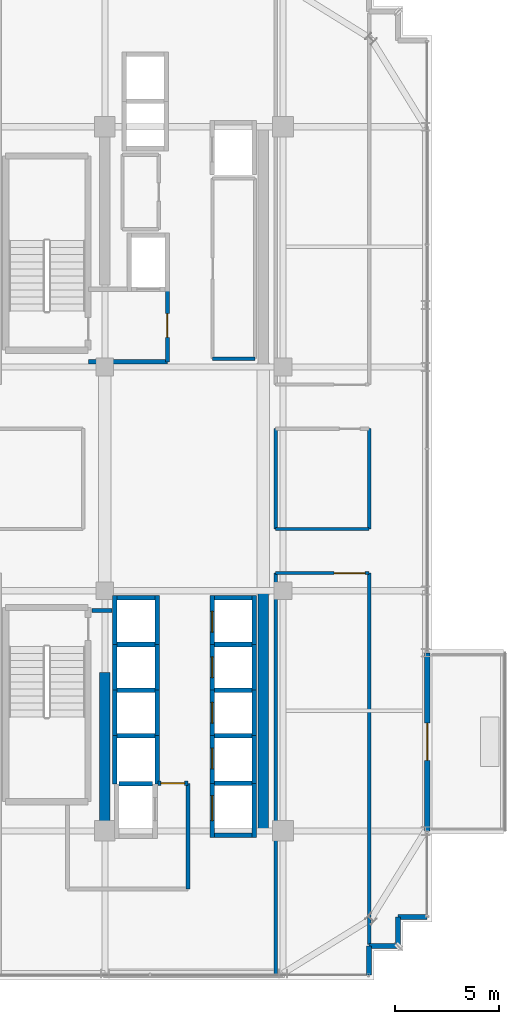
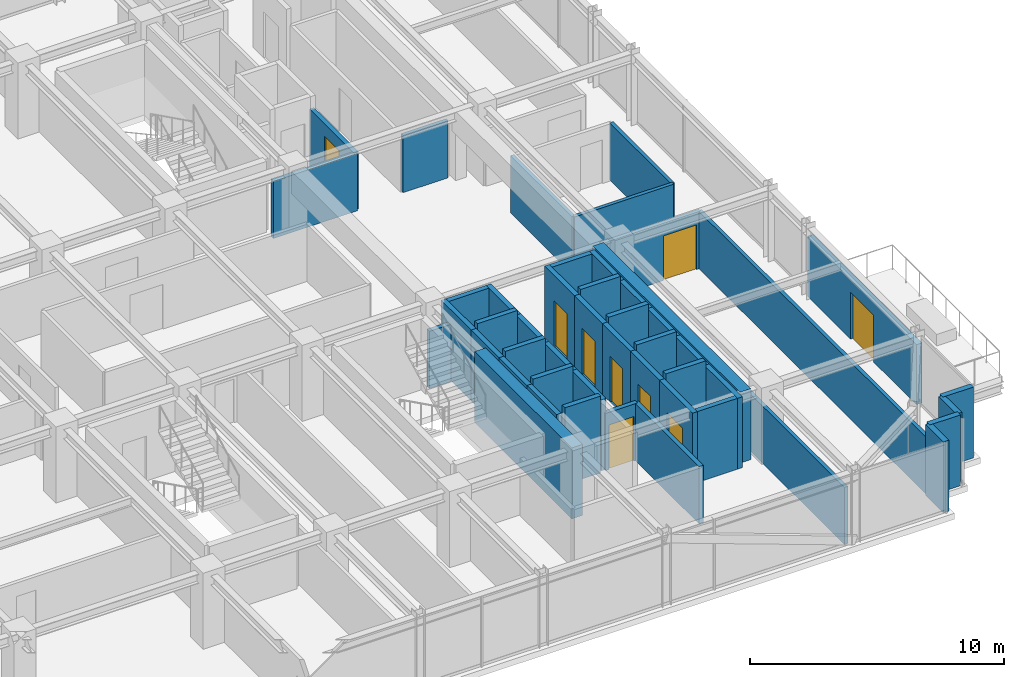
# One storey, part 37 of 42: 48 walls, 9 doors, 9 openings.
"""IFC4 building model written with IfcOpenShell, lengths in metres."""

from ifc_helpers import new_model, si_unit, direction, frame, frame_2d, origin, place, context, subcontext, project, spatial, rectangle, extrude, source, transform, mapped, material, layer, layer_set, type_object, element, fill, save


model = new_model("IFC4")

# Units and contexts
model_context = context("Model", 3, precision=1e-05, world=origin(), true_north=direction((0.0, 1.0)))
body_context = subcontext(model_context, "Body", "Model", "MODEL_VIEW")
ifc_project = project(units=[si_unit("LENGTHUNIT", "METRE"), si_unit("AREAUNIT", "SQUARE_METRE"), si_unit("VOLUMEUNIT", "CUBIC_METRE"), si_unit("PLANEANGLEUNIT", "RADIAN"), si_unit("MASSUNIT", "GRAM", prefix="KILO")], contexts=[model_context])

# Site, building, storey
site_placement = place(None, origin())
site = spatial("IfcSite", under=ifc_project, at=site_placement, CompositionType="ELEMENT")
building_placement = place(site_placement, origin())
building = spatial("IfcBuilding", under=site, at=building_placement, Name="Nahalor Promenade Grand Hotel", CompositionType="ELEMENT")
storey_placement = place(building_placement, frame((0.0, 0.0, 249.300048828125)))
storey = spatial("IfcBuildingStorey", under=building, at=storey_placement, Name="L64", CompositionType="ELEMENT", Elevation=249.300048828125)

# Walls
ifc_material_1 = material(Name="Concrete B-60 (C50/60)", Category="concrete")
ifc_layer_1 = layer(ifc_material_1, 0.5)
ifc_layer_set_1 = layer_set([ifc_layer_1], Name="Concrete B-60 (C50/60)")
wall_type_1 = type_object("IfcWallType", Name="Wall-CoreShear-500", PredefinedType="SHEAR", material=ifc_layer_set_1)
shared_shape_1 = source(origin(), body_context, "Body", "SweptSolid", [
    extrude(rectangle(XDim=7.64990234375, YDim=0.5, at=frame_2d((3.824951171875, 0.0))), origin(), (0.0, 0.0, 1.0), 3.409912109375),
])
wall_1_placement = place(storey_placement, frame((8.39990234375, -17.0, 0.0), z_axis=(0.0, 0.0, 1.0), x_axis=(0.0, 1.0, 0.0)))
element("IfcWall", 1, at=wall_1_placement, inside=storey, type_object=wall_type_1, Name="CWALL-L64-SW", PredefinedType="SHEAR", context=body_context, shape_type="MappedRepresentation", body=[
    mapped(shared_shape_1, transform((0.0, 0.0, 0.0), scale=1.0)),
])
shared_shape_2 = source(origin(), body_context, "Body", "SweptSolid", [
    extrude(rectangle(XDim=11.60009765625, YDim=0.5, at=frame_2d((5.800048828125, 0.0))), origin(), (0.0, 0.0, 1.0), 3.409912109375),
])
wall_2_placement = place(storey_placement, frame((16.050048828125, -17.0, 0.0), z_axis=(0.0, 0.0, 1.0), x_axis=(0.0, 1.0, 0.0)))
element("IfcWall", 2, at=wall_2_placement, inside=storey, type_object=wall_type_1, Name="CWALL-L64-SE", PredefinedType="SHEAR", context=body_context, shape_type="MappedRepresentation", body=[
    mapped(shared_shape_2, transform((0.0, 0.0, 0.0), scale=1.0)),
])

# Wall, opening, door
ifc_material_2 = material(Name="Concrete B-50 (C40/50)", Category="concrete")
ifc_layer_2 = layer(ifc_material_2, 0.219970703125)
ifc_layer_set_2 = layer_set([ifc_layer_2], Name="Concrete B-50 (C40/50)")
wall_type_2 = type_object("IfcWallType", Name="Wall-LiftShaft-220", PredefinedType="SHEAR", material=ifc_layer_set_2)
shared_shape_3 = source(origin(), body_context, "Body", "SweptSolid", [
    extrude(rectangle(XDim=2.360107421875, YDim=0.219970703125, at=frame_2d((1.18017578125, 0.0))), origin(), (0.0, 0.0, 1.0), 3.409912109375),
])
wall_3_placement = place(storey_placement, frame((13.580078125, -8.0, 0.0), z_axis=(0.0, 0.0, 1.0), x_axis=(0.0, 1.0, 0.0)))
wall_3 = element("IfcWall", 3, at=wall_3_placement, inside=storey, type_object=wall_type_2, Name="L64 Lift PL5 Hoistway Wall W", PredefinedType="SHEAR", context=body_context, shape_type="MappedRepresentation", body=[
    mapped(shared_shape_3, transform((0.0, 0.0, 0.0), scale=1.0)),
])
opening_1_placement = place(wall_3_placement, frame((0.60009765625, 0.0, 0.0)))
opening_1 = element("IfcOpeningElement", 4, at=opening_1_placement, cuts=wall_3, Name="Opening LD-01", PredefinedType="OPENING", context=body_context, shape_type="SweptSolid", body=[
    extrude(rectangle(XDim=1.0, YDim=2.199951171875, at=frame_2d((0.5, 1.10009765625))), frame((0.0, 0.119873046875, 0.0), z_axis=(0.0, -1.0, 0.0), x_axis=(1.0, 0.0, 0.0)), (0.0, 0.0, 1.0), 0.239990234375),
])
ifc_material_3 = material(Name="Steel S355JR", Category="steel")
door_type_1 = type_object("IfcDoorType", Name="Door-LiftLanding-1000", OperationType="DOUBLE_DOOR_SLIDING", PredefinedType="DOOR", material=ifc_material_3)
shared_shape_4 = source(origin(), body_context, "Body", "SweptSolid", [
    extrude(rectangle(XDim=1.0, YDim=2.199951171875, at=frame_2d((0.5, 1.10009765625))), frame((0.0, 0.02490234375, 0.0), z_axis=(0.0, -1.0, 0.0), x_axis=(1.0, 0.0, 0.0)), (0.0, 0.0, 1.0), 0.050048828125),
])
door_1_placement = place(opening_1_placement, origin())
door_1 = element("IfcDoor", 5, at=door_1_placement, inside=storey, type_object=door_type_1, Name="DR-LIFT-PL5-L64", OperationType="DOUBLE_DOOR_SLIDING", OverallHeight=2.199951171875, OverallWidth=1.0, PredefinedType="DOOR", context=body_context, shape_type="MappedRepresentation", body=[
    mapped(shared_shape_4, transform((0.0, 0.0, 0.0), scale=1.0)),
])
fill(opening_1, door_1)

# Walls
for number, where, z_axis, x_axis, name in (
    (6, (15.6201171875, -8.0, 0.0), (0.0, 0.0, 1.0), (0.0, 1.0, 0.0), "L64 Lift PL5 Hoistway Wall E"),
    (7, (8.8798828125, -8.0, 0.0), (0.0, 0.0, 1.0), (0.0, 1.0, 0.0), "L64 Lift PL9 Hoistway Wall W"),
    (8, (10.919921875, -8.0, 0.0), (0.0, 0.0, 1.0), (0.0, 1.0, 0.0), "L64 Lift PL9 Hoistway Wall E"),
):
    element("IfcWall", number, at=place(storey_placement, frame(where, z_axis=z_axis, x_axis=x_axis)), inside=storey, type_object=wall_type_2, Name=name, PredefinedType="SHEAR", context=body_context, shape_type="MappedRepresentation", body=[
        mapped(shared_shape_3, transform((0.0, 0.0, 0.0), scale=1.0)),
    ])
shared_shape_5 = source(origin(), body_context, "Body", "SweptSolid", [
    extrude(rectangle(XDim=1.820068359375, YDim=0.219970703125, at=frame_2d((0.91015625, 0.0))), origin(), (0.0, 0.0, 1.0), 3.409912109375),
])
for number, where, z_axis, x_axis, name in (
    (9, (13.68994140625, -5.75, 0.0), (0.0, 0.0, 1.0), (1.0, 0.0, 0.0), "L64 Lift PL5 Hoistway Wall N"),
    (10, (8.989990234375, -5.75, 0.0), (0.0, 0.0, 1.0), (1.0, 0.0, 0.0), "L64 Lift PL9 Hoistway Wall N"),
    (11, (13.68994140625, -17.199951171875, 0.0), (0.0, 0.0, 1.0), (1.0, 0.0, 0.0), "L64 Lift SV2 Hoistway Wall S"),
):
    element("IfcWall", number, at=place(storey_placement, frame(where, z_axis=z_axis, x_axis=x_axis)), inside=storey, type_object=wall_type_2, Name=name, PredefinedType="SHEAR", context=body_context, shape_type="MappedRepresentation", body=[
        mapped(shared_shape_5, transform((0.0, 0.0, 0.0), scale=1.0)),
    ])

# Wall, opening, door
shared_shape_6 = source(origin(), body_context, "Body", "SweptSolid", [
    extrude(rectangle(XDim=2.199951171875, YDim=0.219970703125, at=frame_2d((1.10009765625, 0.0))), origin(), (0.0, 0.0, 1.0), 3.409912109375),
])
wall_4_placement = place(storey_placement, frame((13.580078125, -10.199951171875, 0.0), z_axis=(0.0, 0.0, 1.0), x_axis=(0.0, 1.0, 0.0)))
wall_4 = element("IfcWall", 12, at=wall_4_placement, inside=storey, type_object=wall_type_2, Name="L64 Lift PL6 Hoistway Wall W", PredefinedType="SHEAR", context=body_context, shape_type="MappedRepresentation", body=[
    mapped(shared_shape_6, transform((0.0, 0.0, 0.0), scale=1.0)),
])
opening_2_placement = place(wall_4_placement, frame((0.60009765625, 0.0, 0.0)))
opening_2 = element("IfcOpeningElement", 13, at=opening_2_placement, cuts=wall_4, Name="Opening LD-01", PredefinedType="OPENING", context=body_context, shape_type="SweptSolid", body=[
    extrude(rectangle(XDim=1.0, YDim=2.199951171875, at=frame_2d((0.5, 1.10009765625))), frame((0.0, 0.119873046875, 0.0), z_axis=(0.0, -1.0, 0.0), x_axis=(1.0, 0.0, 0.0)), (0.0, 0.0, 1.0), 0.239990234375),
])
door_2_placement = place(opening_2_placement, origin())
door_2 = element("IfcDoor", 14, at=door_2_placement, inside=storey, type_object=door_type_1, Name="DR-LIFT-PL6-L64", OperationType="DOUBLE_DOOR_SLIDING", OverallHeight=2.199951171875, OverallWidth=1.0, PredefinedType="DOOR", context=body_context, shape_type="MappedRepresentation", body=[
    mapped(shared_shape_4, transform((0.0, 0.0, 0.0), scale=1.0)),
])
fill(opening_2, door_2)

# Wall
wall_5_placement = place(storey_placement, frame((15.6201171875, -10.199951171875, 0.0), z_axis=(0.0, 0.0, 1.0), x_axis=(0.0, 1.0, 0.0)))
element("IfcWall", 15, at=wall_5_placement, inside=storey, type_object=wall_type_2, Name="L64 Lift PL6 Hoistway Wall E", PredefinedType="SHEAR", context=body_context, shape_type="MappedRepresentation", body=[
    mapped(shared_shape_6, transform((0.0, 0.0, 0.0), scale=1.0)),
])

# Wall, opening, door
wall_6_placement = place(storey_placement, frame((13.580078125, -12.39990234375, 0.0), z_axis=(0.0, 0.0, 1.0), x_axis=(0.0, 1.0, 0.0)))
wall_6 = element("IfcWall", 16, at=wall_6_placement, inside=storey, type_object=wall_type_2, Name="L64 Lift PL7 Hoistway Wall W", PredefinedType="SHEAR", context=body_context, shape_type="MappedRepresentation", body=[
    mapped(shared_shape_6, transform((0.0, 0.0, 0.0), scale=1.0)),
])
opening_3_placement = place(wall_6_placement, frame((0.60009765625, 0.0, 0.0)))
opening_3 = element("IfcOpeningElement", 17, at=opening_3_placement, cuts=wall_6, Name="Opening LD-01", PredefinedType="OPENING", context=body_context, shape_type="SweptSolid", body=[
    extrude(rectangle(XDim=1.0, YDim=2.199951171875, at=frame_2d((0.5, 1.10009765625))), frame((0.0, 0.119873046875, 0.0), z_axis=(0.0, -1.0, 0.0), x_axis=(1.0, 0.0, 0.0)), (0.0, 0.0, 1.0), 0.239990234375),
])
door_3_placement = place(opening_3_placement, origin())
door_3 = element("IfcDoor", 18, at=door_3_placement, inside=storey, type_object=door_type_1, Name="DR-LIFT-PL7-L64", OperationType="DOUBLE_DOOR_SLIDING", OverallHeight=2.199951171875, OverallWidth=1.0, PredefinedType="DOOR", context=body_context, shape_type="MappedRepresentation", body=[
    mapped(shared_shape_4, transform((0.0, 0.0, 0.0), scale=1.0)),
])
fill(opening_3, door_3)

# Walls
for number, where, z_axis, x_axis, name in (
    (19, (15.6201171875, -12.39990234375, 0.0), (0.0, 0.0, 1.0), (0.0, 1.0, 0.0), "L64 Lift PL7 Hoistway Wall E"),
    (20, (8.8798828125, -10.199951171875, 0.0), (0.0, 0.0, 1.0), (0.0, 1.0, 0.0), "L64 Lift PL10 Hoistway Wall W"),
    (21, (10.919921875, -10.199951171875, 0.0), (0.0, 0.0, 1.0), (0.0, 1.0, 0.0), "L64 Lift PL10 Hoistway Wall E"),
    (22, (8.8798828125, -12.39990234375, 0.0), (0.0, 0.0, 1.0), (0.0, 1.0, 0.0), "L64 Lift PL11 Hoistway Wall W"),
    (23, (10.919921875, -12.39990234375, 0.0), (0.0, 0.0, 1.0), (0.0, 1.0, 0.0), "L64 Lift PL11 Hoistway Wall E"),
):
    element("IfcWall", number, at=place(storey_placement, frame(where, z_axis=z_axis, x_axis=x_axis)), inside=storey, type_object=wall_type_2, Name=name, PredefinedType="SHEAR", context=body_context, shape_type="MappedRepresentation", body=[
        mapped(shared_shape_6, transform((0.0, 0.0, 0.0), scale=1.0)),
    ])
shared_shape_7 = source(origin(), body_context, "Body", "SweptSolid", [
    extrude(rectangle(XDim=1.820068359375, YDim=0.219970703125, at=frame_2d((0.91015625, 0.0))), origin(), (0.0, 0.0, 1.0), 3.699951171875),
])
for number, where, z_axis, x_axis, name in (
    (24, (13.68994140625, -8.0, 0.0), (0.0, 0.0, 1.0), (1.0, 0.0, 0.0), "L64 Lift PL6 Hoistway Wall N"),
    (25, (13.68994140625, -10.199951171875, 0.0), (0.0, 0.0, 1.0), (1.0, 0.0, 0.0), "L64 Lift PL7 Hoistway Wall N"),
    (26, (13.68994140625, -12.39990234375, 0.0), (0.0, 0.0, 1.0), (1.0, 0.0, 0.0), "L64 Lift PL8 Hoistway Wall N"),
    (27, (8.989990234375, -8.0, 0.0), (0.0, 0.0, 1.0), (1.0, 0.0, 0.0), "L64 Lift PL10 Hoistway Wall N"),
    (28, (8.989990234375, -10.199951171875, 0.0), (0.0, 0.0, 1.0), (1.0, 0.0, 0.0), "L64 Lift PL11 Hoistway Wall N"),
    (29, (8.989990234375, -12.39990234375, 0.0), (0.0, 0.0, 1.0), (1.0, 0.0, 0.0), "L64 Lift PL12 Hoistway Wall N"),
    (30, (13.68994140625, -14.699951171875, 0.0), (0.0, 0.0, 1.0), (1.0, 0.0, 0.0), "L64 Lift SV2 Hoistway Wall N"),
):
    element("IfcWall", number, at=place(storey_placement, frame(where, z_axis=z_axis, x_axis=x_axis)), inside=storey, type_object=wall_type_2, Name=name, PredefinedType="SHEAR", context=body_context, shape_type="MappedRepresentation", body=[
        mapped(shared_shape_7, transform((0.0, 0.0, 0.0), scale=1.0)),
    ])

# Wall, opening, door
shared_shape_8 = source(origin(), body_context, "Body", "SweptSolid", [
    extrude(rectangle(XDim=2.300048828125, YDim=0.219970703125, at=frame_2d((1.14990234375, 0.0))), origin(), (0.0, 0.0, 1.0), 3.409912109375),
])
wall_7_placement = place(storey_placement, frame((13.580078125, -14.699951171875, 0.0), z_axis=(0.0, 0.0, 1.0), x_axis=(0.0, 1.0, 0.0)))
wall_7 = element("IfcWall", 31, at=wall_7_placement, inside=storey, type_object=wall_type_2, Name="L64 Lift PL8 Hoistway Wall W", PredefinedType="SHEAR", context=body_context, shape_type="MappedRepresentation", body=[
    mapped(shared_shape_8, transform((0.0, 0.0, 0.0), scale=1.0)),
])
opening_4_placement = place(wall_7_placement, frame((0.699951171875, 0.0, 0.0)))
opening_4 = element("IfcOpeningElement", 32, at=opening_4_placement, cuts=wall_7, Name="Opening LD-01", PredefinedType="OPENING", context=body_context, shape_type="SweptSolid", body=[
    extrude(rectangle(XDim=1.0, YDim=2.199951171875, at=frame_2d((0.5, 1.10009765625))), frame((0.0, 0.119873046875, 0.0), z_axis=(0.0, -1.0, 0.0), x_axis=(1.0, 0.0, 0.0)), (0.0, 0.0, 1.0), 0.239990234375),
])
door_4_placement = place(opening_4_placement, origin())
door_4 = element("IfcDoor", 33, at=door_4_placement, inside=storey, type_object=door_type_1, Name="DR-LIFT-PL8-L64", OperationType="DOUBLE_DOOR_SLIDING", OverallHeight=2.199951171875, OverallWidth=1.0, PredefinedType="DOOR", context=body_context, shape_type="MappedRepresentation", body=[
    mapped(shared_shape_4, transform((0.0, 0.0, 0.0), scale=1.0)),
])
fill(opening_4, door_4)

# Walls
wall_8_placement = place(storey_placement, frame((15.6201171875, -14.699951171875, 0.0), z_axis=(0.0, 0.0, 1.0), x_axis=(0.0, 1.0, 0.0)))
element("IfcWall", 34, at=wall_8_placement, inside=storey, type_object=wall_type_2, Name="L64 Lift PL8 Hoistway Wall E", PredefinedType="SHEAR", context=body_context, shape_type="MappedRepresentation", body=[
    mapped(shared_shape_8, transform((0.0, 0.0, 0.0), scale=1.0)),
])
shared_shape_9 = source(origin(), body_context, "Body", "SweptSolid", [
    extrude(rectangle(XDim=2.3251953125, YDim=0.219970703125, at=frame_2d((1.16259765625, 0.0))), origin(), (0.0, 0.0, 1.0), 3.409912109375),
])
for number, where, z_axis, x_axis, name in (
    (35, (8.8798828125, -14.72509765625, 0.0), (0.0, 0.0, 1.0), (0.0, 1.0, 0.0), "L64 Lift PL12 Hoistway Wall W"),
    (36, (10.919921875, -14.72509765625, 0.0), (0.0, 0.0, 1.0), (0.0, 1.0, 0.0), "L64 Lift PL12 Hoistway Wall E"),
):
    element("IfcWall", number, at=place(storey_placement, frame(where, z_axis=z_axis, x_axis=x_axis)), inside=storey, type_object=wall_type_2, Name=name, PredefinedType="SHEAR", context=body_context, shape_type="MappedRepresentation", body=[
        mapped(shared_shape_9, transform((0.0, 0.0, 0.0), scale=1.0)),
    ])
shared_shape_10 = source(origin(), body_context, "Body", "SweptSolid", [
    extrude(rectangle(XDim=1.619873046875, YDim=0.219970703125, at=frame_2d((0.81005859375, 0.0))), origin(), (0.0, 0.0, 1.0), 3.699951171875),
])
wall_9_placement = place(storey_placement, frame((9.090087890625, -14.72509765625, 0.0), z_axis=(0.0, 0.0, 1.0), x_axis=(1.0, 0.0, 0.0)))
element("IfcWall", 37, at=wall_9_placement, inside=storey, type_object=wall_type_2, Name="L64 Lift FL2 Hoistway Wall N", PredefinedType="SHEAR", context=body_context, shape_type="MappedRepresentation", body=[
    mapped(shared_shape_10, transform((0.0, 0.0, 0.0), scale=1.0)),
])

# Wall, opening, door
shared_shape_11 = source(origin(), body_context, "Body", "SweptSolid", [
    extrude(rectangle(XDim=2.610107421875, YDim=0.219970703125, at=frame_2d((1.30517578125, 0.0))), origin(), (0.0, 0.0, 1.0), 3.409912109375),
])
wall_10_placement = place(storey_placement, frame((13.580078125, -17.31005859375, 0.0), z_axis=(0.0, 0.0, 1.0), x_axis=(0.0, 1.0, 0.0)))
wall_10 = element("IfcWall", 38, at=wall_10_placement, inside=storey, type_object=wall_type_2, Name="L64 Lift SV2 Hoistway Wall W", PredefinedType="SHEAR", context=body_context, shape_type="MappedRepresentation", body=[
    mapped(shared_shape_11, transform((0.0, 0.0, 0.0), scale=1.0)),
])
opening_5_placement = place(wall_10_placement, frame((0.81005859375, 0.0, 0.0)))
opening_5 = element("IfcOpeningElement", 39, at=opening_5_placement, cuts=wall_10, Name="Opening LD-03", PredefinedType="OPENING", context=body_context, shape_type="SweptSolid", body=[
    extrude(rectangle(XDim=1.199951171875, YDim=2.199951171875, at=frame_2d((0.60009765625, 1.10009765625))), frame((0.0, 0.119873046875, 0.0), z_axis=(0.0, -1.0, 0.0), x_axis=(1.0, 0.0, 0.0)), (0.0, 0.0, 1.0), 0.239990234375),
])
door_type_2 = type_object("IfcDoorType", Name="Door-LiftService-1200", OperationType="DOUBLE_DOOR_SLIDING", PredefinedType="DOOR", material=ifc_material_3)
shared_shape_12 = source(origin(), body_context, "Body", "SweptSolid", [
    extrude(rectangle(XDim=1.199951171875, YDim=2.199951171875, at=frame_2d((0.60009765625, 1.10009765625))), frame((0.0, 0.02490234375, 0.0), z_axis=(0.0, -1.0, 0.0), x_axis=(1.0, 0.0, 0.0)), (0.0, 0.0, 1.0), 0.050048828125),
])
door_5_placement = place(opening_5_placement, origin())
door_5 = element("IfcDoor", 40, at=door_5_placement, inside=storey, type_object=door_type_2, Name="DR-LIFT-SV2-L64", OperationType="DOUBLE_DOOR_SLIDING", OverallHeight=2.199951171875, OverallWidth=1.199951171875, PredefinedType="DOOR", context=body_context, shape_type="MappedRepresentation", body=[
    mapped(shared_shape_12, transform((0.0, 0.0, 0.0), scale=1.0)),
])
fill(opening_5, door_5)

# Walls
wall_11_placement = place(storey_placement, frame((15.6201171875, -17.31005859375, 0.0), z_axis=(0.0, 0.0, 1.0), x_axis=(0.0, 1.0, 0.0)))
element("IfcWall", 41, at=wall_11_placement, inside=storey, type_object=wall_type_2, Name="L64 Lift SV2 Hoistway Wall E", PredefinedType="SHEAR", context=body_context, shape_type="MappedRepresentation", body=[
    mapped(shared_shape_11, transform((0.0, 0.0, 0.0), scale=1.0)),
])
ifc_material_4 = material(Name="Concrete B-40 (C32/40)", Category="concrete")
ifc_layer_3 = layer(ifc_material_4, 0.25)
ifc_layer_set_3 = layer_set([ifc_layer_3], Name="Concrete B-40 (C32/40)")
wall_type_3 = type_object("IfcWallType", Name="Wall-BronzePier-250", PredefinedType="STANDARD", material=ifc_layer_set_3)
shared_shape_13 = source(origin(), body_context, "Body", "SweptSolid", [
    extrude(rectangle(XDim=1.39990234375, YDim=0.25, at=frame_2d((0.699951171875, 0.0))), origin(), (0.0, 0.0, 1.0), 3.409912109375),
])
for number, where, z_axis, x_axis, name in (
    (42, (21.159912109375, -23.9599609375, 0.0), (0.0, 0.0, 1.0), (0.0, 1.0, 0.0), "W-L64-SR-01"),
    (43, (22.56005859375, -21.159912109375, 0.0), (0.0, 0.0, 1.0), (1.0, 0.0, 0.0), "W-L64-SR-04"),
):
    element("IfcWall", number, at=place(storey_placement, frame(where, z_axis=z_axis, x_axis=x_axis)), inside=storey, type_object=wall_type_3, Name=name, PredefinedType="STANDARD", context=body_context, shape_type="MappedRepresentation", body=[
        mapped(shared_shape_13, transform((0.0, 0.0, 0.0), scale=1.0)),
    ])
shared_shape_14 = source(origin(), body_context, "Body", "SweptSolid", [
    extrude(rectangle(XDim=1.400146484375, YDim=0.25, at=frame_2d((0.7001953125, 0.0))), origin(), (0.0, 0.0, 1.0), 3.409912109375),
])
for number, where, z_axis, x_axis, name in (
    (44, (21.159912109375, -22.56005859375, 0.0), (0.0, 0.0, 1.0), (1.0, 0.0, 0.0), "W-L64-SR-02"),
    (45, (22.56005859375, -22.56005859375, 0.0), (0.0, 0.0, 1.0), (0.0, 1.0, 0.0), "W-L64-SR-03"),
):
    element("IfcWall", number, at=place(storey_placement, frame(where, z_axis=z_axis, x_axis=x_axis)), inside=storey, type_object=wall_type_3, Name=name, PredefinedType="STANDARD", context=body_context, shape_type="MappedRepresentation", body=[
        mapped(shared_shape_14, transform((0.0, 0.0, 0.0), scale=1.0)),
    ])

# Wall, opening, door
ifc_layer_4 = layer(ifc_material_4, 0.260009765625)
ifc_layer_set_4 = layer_set([ifc_layer_4], Name="Concrete B-40 (C32/40)")
wall_type_4 = type_object("IfcWallType", Name="Wall-BalconyWall-260", PredefinedType="STANDARD", material=ifc_layer_set_4)
shared_shape_15 = source(origin(), body_context, "Body", "SweptSolid", [
    extrude(rectangle(XDim=8.60009765625, YDim=0.260009765625, at=frame_2d((4.300048828125, 0.0))), origin(), (0.0, 0.0, 1.0), 2.889892578125),
])
wall_12_placement = place(storey_placement, frame((23.9599609375, -17.0, 0.0), z_axis=(0.0, 0.0, 1.0), x_axis=(0.0, 1.0, 0.0)))
wall_12 = element("IfcWall", 46, at=wall_12_placement, inside=storey, type_object=wall_type_4, Name="W-L64-BALC-E-2", PredefinedType="STANDARD", context=body_context, shape_type="MappedRepresentation", body=[
    mapped(shared_shape_15, transform((0.0, 0.0, 0.0), scale=1.0)),
])
opening_6_placement = place(wall_12_placement, frame((3.39990234375, 0.0, 0.0)))
opening_6 = element("IfcOpeningElement", 47, at=opening_6_placement, cuts=wall_12, Name="Opening D-BC1", PredefinedType="OPENING", context=body_context, shape_type="SweptSolid", body=[
    extrude(rectangle(XDim=1.800048828125, YDim=2.25, at=frame_2d((0.89990234375, 1.125))), frame((0.0, 0.139892578125, 0.0), z_axis=(0.0, -1.0, 0.0), x_axis=(1.0, 0.0, 0.0)), (0.0, 0.0, 1.0), 0.280029296875),
])
ifc_material_5 = material(Name="Anodised Bronze Aluminium EN AW-6063 T6", Category="aluminium")
door_type_3 = type_object("IfcDoorType", Name="Door-BalconySlide-1800", OperationType="DOUBLE_DOOR_SLIDING", PredefinedType="DOOR", material=ifc_material_5)
shared_shape_16 = source(origin(), body_context, "Body", "SweptSolid", [
    extrude(rectangle(XDim=1.800048828125, YDim=2.25, at=frame_2d((0.89990234375, 1.125))), frame((0.0, 0.02490234375, 0.0), z_axis=(0.0, -1.0, 0.0), x_axis=(1.0, 0.0, 0.0)), (0.0, 0.0, 1.0), 0.050048828125),
])
door_6_placement = place(opening_6_placement, frame((1.800048828125, 0.0, 0.0), z_axis=(0.0, 0.0, 1.0), x_axis=(-1.0, 0.0, 0.0)))
door_6 = element("IfcDoor", 48, at=door_6_placement, inside=storey, type_object=door_type_3, Name="DR-L64-BALC-E-2", OperationType="DOUBLE_DOOR_SLIDING", OverallHeight=2.25, OverallWidth=1.800048828125, PredefinedType="DOOR", context=body_context, shape_type="MappedRepresentation", body=[
    mapped(shared_shape_16, transform((0.0, 0.0, 0.0), scale=1.0)),
])
fill(opening_6, door_6)

# Wall
ifc_layer_5 = layer(ifc_material_4, 0.199951171875)
ifc_layer_set_5 = layer_set([ifc_layer_5], Name="Concrete B-40 (C32/40)")
wall_type_5 = type_object("IfcWallType", Name="Wall-PartFire-200", PredefinedType="PARTITIONING", material=ifc_layer_set_5)
shared_shape_17 = source(origin(), body_context, "Body", "SweptSolid", [
    extrude(rectangle(XDim=3.81982421875, YDim=0.199951171875, at=frame_2d((1.909912109375, 0.0))), origin(), (0.0, 0.0, 1.0), 2.75),
])
wall_13_placement = place(storey_placement, frame((7.60009765625, 5.64990234375, 0.0), z_axis=(0.0, 0.0, 1.0), x_axis=(1.0, 0.0, 0.0)))
element("IfcWall", 49, at=wall_13_placement, inside=storey, type_object=wall_type_5, Name="W-L64-FF1-S", PredefinedType="PARTITIONING", context=body_context, shape_type="MappedRepresentation", body=[
    mapped(shared_shape_17, transform((0.0, 0.0, 0.0), scale=1.0)),
])

# Wall, opening, door
shared_shape_18 = source(origin(), body_context, "Body", "SweptSolid", [
    extrude(rectangle(XDim=3.5, YDim=0.199951171875, at=frame_2d((1.75, 0.0))), origin(), (0.0, 0.0, 1.0), 2.75),
])
wall_14_placement = place(storey_placement, frame((11.419921875, 5.64990234375, 0.0), z_axis=(0.0, 0.0, 1.0), x_axis=(0.0, 1.0, 0.0)))
wall_14 = element("IfcWall", 50, at=wall_14_placement, inside=storey, type_object=wall_type_5, Name="W-L64-FF1-E", PredefinedType="PARTITIONING", context=body_context, shape_type="MappedRepresentation", body=[
    mapped(shared_shape_18, transform((0.0, 0.0, 0.0), scale=1.0)),
])
opening_7_placement = place(wall_14_placement, frame((1.175048828125, 0.0, 0.0)))
opening_7 = element("IfcOpeningElement", 51, at=opening_7_placement, cuts=wall_14, Name="Opening D-FF1", PredefinedType="OPENING", context=body_context, shape_type="SweptSolid", body=[
    extrude(rectangle(XDim=1.14990234375, YDim=2.14990234375, at=frame_2d((0.574951171875, 1.074951171875))), frame((0.0, 0.10986328125, 0.0), z_axis=(0.0, -1.0, 0.0), x_axis=(1.0, 0.0, 0.0)), (0.0, 0.0, 1.0), 0.219970703125),
])
door_type_4 = type_object("IfcDoorType", Name="Door-FFLobby-1150", OperationType="NOTDEFINED", PredefinedType="DOOR", material=ifc_material_3)
shared_shape_19 = source(origin(), body_context, "Body", "SweptSolid", [
    extrude(rectangle(XDim=1.14990234375, YDim=2.14990234375, at=frame_2d((0.574951171875, 1.074951171875))), frame((0.0, 0.02490234375, 0.0), z_axis=(0.0, -1.0, 0.0), x_axis=(1.0, 0.0, 0.0)), (0.0, 0.0, 1.0), 0.050048828125),
])
door_7_placement = place(opening_7_placement, frame((1.14990234375, 0.0, 0.0), z_axis=(0.0, 0.0, 1.0), x_axis=(-1.0, 0.0, 0.0)))
door_7 = element("IfcDoor", 52, at=door_7_placement, inside=storey, type_object=door_type_4, Name="DR-L64-FFL1", OperationType="SINGLE_SWING_LEFT", OverallHeight=2.14990234375, OverallWidth=1.14990234375, PredefinedType="DOOR", context=body_context, shape_type="MappedRepresentation", body=[
    mapped(shared_shape_19, transform((0.0, 0.0, 0.0), scale=1.0)),
])
fill(opening_7, door_7)

# Wall
shared_shape_20 = source(origin(), body_context, "Body", "SweptSolid", [
    extrude(rectangle(XDim=5.10009765625, YDim=0.199951171875, at=frame_2d((2.550048828125, 0.0))), origin(), (0.0, 0.0, 1.0), 2.75),
])
wall_15_placement = place(storey_placement, frame((12.419921875, -19.800048828125, 0.0), z_axis=(0.0, 0.0, 1.0), x_axis=(0.0, 1.0, 0.0)))
element("IfcWall", 53, at=wall_15_placement, inside=storey, type_object=wall_type_5, Name="W-L64-FF2-E", PredefinedType="PARTITIONING", context=body_context, shape_type="MappedRepresentation", body=[
    mapped(shared_shape_20, transform((0.0, 0.0, 0.0), scale=1.0)),
])

# Wall, opening, door
shared_shape_21 = source(origin(), body_context, "Body", "SweptSolid", [
    extrude(rectangle(XDim=1.4599609375, YDim=0.199951171875, at=frame_2d((0.72998046875, 0.0))), origin(), (0.0, 0.0, 1.0), 2.75),
])
wall_16_placement = place(storey_placement, frame((10.9599609375, -14.699951171875, 0.0), z_axis=(0.0, 0.0, 1.0), x_axis=(1.0, 0.0, 0.0)))
wall_16 = element("IfcWall", 54, at=wall_16_placement, inside=storey, type_object=wall_type_5, Name="W-L64-FF2-N1", PredefinedType="PARTITIONING", context=body_context, shape_type="MappedRepresentation", body=[
    mapped(shared_shape_21, transform((0.0, 0.0, 0.0), scale=1.0)),
])
opening_8_placement = place(wall_16_placement, frame((0.14501953125, 0.0, 0.0)))
opening_8 = element("IfcOpeningElement", 55, at=opening_8_placement, cuts=wall_16, Name="Opening D-FF1", PredefinedType="OPENING", context=body_context, shape_type="SweptSolid", body=[
    extrude(rectangle(XDim=1.14990234375, YDim=2.14990234375, at=frame_2d((0.574951171875, 1.074951171875))), frame((0.0, 0.10986328125, 0.0), z_axis=(0.0, -1.0, 0.0), x_axis=(1.0, 0.0, 0.0)), (0.0, 0.0, 1.0), 0.219970703125),
])
door_8_placement = place(opening_8_placement, origin())
door_8 = element("IfcDoor", 56, at=door_8_placement, inside=storey, type_object=door_type_4, Name="DR-L64-FFL2", OperationType="SINGLE_SWING_RIGHT", OverallHeight=2.14990234375, OverallWidth=1.14990234375, PredefinedType="DOOR", context=body_context, shape_type="MappedRepresentation", body=[
    mapped(shared_shape_19, transform((0.0, 0.0, 0.0), scale=1.0)),
])
fill(opening_8, door_8)

# Walls
shared_shape_22 = source(origin(), body_context, "Body", "SweptSolid", [
    extrude(rectangle(XDim=0.969970703125, YDim=0.199951171875, at=frame_2d((0.48486328125, 0.0))), origin(), (0.0, 0.0, 1.0), 2.75),
])
wall_17_placement = place(storey_placement, frame((7.77001953125, -6.35009765625, 0.0), z_axis=(0.0, 0.0, 1.0), x_axis=(1.0, 0.0, 0.0)))
element("IfcWall", 57, at=wall_17_placement, inside=storey, type_object=wall_type_5, Name="W-L64-FF2-N2", PredefinedType="PARTITIONING", context=body_context, shape_type="MappedRepresentation", body=[
    mapped(shared_shape_22, transform((0.0, 0.0, 0.0), scale=1.0)),
])
ifc_material_6 = material(Name="Acoustic Mineral Gypsum", Category="gypsum")
ifc_layer_6 = layer(ifc_material_6, 0.159912109375)
ifc_layer_set_6 = layer_set([ifc_layer_6], Name="Acoustic Mineral Gypsum")
wall_type_6 = type_object("IfcWallType", Name="Wall-PartCorridor-160", PredefinedType="PARTITIONING", material=ifc_layer_set_6)
shared_shape_23 = source(origin(), body_context, "Body", "SweptSolid", [
    extrude(rectangle(XDim=2.0498046875, YDim=0.159912109375, at=frame_2d((1.02490234375, 0.0))), origin(), (0.0, 0.0, 1.0), 2.75),
])
wall_18_placement = place(storey_placement, frame((13.60009765625, 5.800048828125, 0.0), z_axis=(0.0, 0.0, 1.0), x_axis=(1.0, 0.0, 0.0)))
element("IfcWall", 58, at=wall_18_placement, inside=storey, type_object=wall_type_6, Name="W-L64-FRB1-S", PredefinedType="PARTITIONING", context=body_context, shape_type="MappedRepresentation", body=[
    mapped(shared_shape_23, transform((0.0, 0.0, 0.0), scale=1.0)),
])
shared_shape_24 = source(origin(), body_context, "Body", "SweptSolid", [
    extrude(rectangle(XDim=19.349853515625, YDim=0.159912109375, at=frame_2d((9.6748046875, 0.0))), origin(), (0.0, 0.0, 1.0), 2.75),
])
wall_19_placement = place(storey_placement, frame((16.64990234375, -23.89990234375, 0.0), z_axis=(0.0, 0.0, 1.0), x_axis=(0.0, 1.0, 0.0)))
element("IfcWall", 59, at=wall_19_placement, inside=storey, type_object=wall_type_6, Name="W-L64-ESE-W", PredefinedType="PARTITIONING", context=body_context, shape_type="MappedRepresentation", body=[
    mapped(shared_shape_24, transform((0.0, 0.0, 0.0), scale=1.0)),
])
shared_shape_25 = source(origin(), body_context, "Body", "SweptSolid", [
    extrude(rectangle(XDim=17.929931640625, YDim=0.159912109375, at=frame_2d((8.96484375, 0.0))), origin(), (0.0, 0.0, 1.0), 2.75),
])
wall_20_placement = place(storey_placement, frame((21.159912109375, -22.47998046875, 0.0), z_axis=(0.0, 0.0, 1.0), x_axis=(0.0, 1.0, 0.0)))
element("IfcWall", 60, at=wall_20_placement, inside=storey, type_object=wall_type_6, Name="W-L64-ESE-E", PredefinedType="PARTITIONING", context=body_context, shape_type="MappedRepresentation", body=[
    mapped(shared_shape_25, transform((0.0, 0.0, 0.0), scale=1.0)),
])
shared_shape_26 = source(origin(), body_context, "Body", "SweptSolid", [
    extrude(rectangle(XDim=4.83984375, YDim=0.159912109375, at=frame_2d((2.419921875, 0.0))), origin(), (0.0, 0.0, 1.0), 2.75),
])
for number, where, z_axis, x_axis, name in (
    (61, (16.64990234375, -2.419921875, 0.0), (0.0, 0.0, 1.0), (0.0, 1.0, 0.0), "W-L64-ECW-W"),
    (62, (21.159912109375, -2.419921875, 0.0), (0.0, 0.0, 1.0), (0.0, 1.0, 0.0), "W-L64-ECW-E"),
):
    element("IfcWall", number, at=place(storey_placement, frame(where, z_axis=z_axis, x_axis=x_axis)), inside=storey, type_object=wall_type_6, Name=name, PredefinedType="PARTITIONING", context=body_context, shape_type="MappedRepresentation", body=[
        mapped(shared_shape_26, transform((0.0, 0.0, 0.0), scale=1.0)),
    ])

# Wall, opening, door
shared_shape_27 = source(origin(), body_context, "Body", "SweptSolid", [
    extrude(rectangle(XDim=4.510009765625, YDim=0.159912109375, at=frame_2d((2.2548828125, 0.0))), origin(), (0.0, 0.0, 1.0), 2.75),
])
wall_21_placement = place(storey_placement, frame((16.64990234375, -4.550048828125, 0.0), z_axis=(0.0, 0.0, 1.0), x_axis=(1.0, 0.0, 0.0)))
wall_21 = element("IfcWall", 63, at=wall_21_placement, inside=storey, type_object=wall_type_6, Name="W-L64-ESE-N", PredefinedType="PARTITIONING", context=body_context, shape_type="MappedRepresentation", body=[
    mapped(shared_shape_27, transform((0.0, 0.0, 0.0), scale=1.0)),
])
opening_9_placement = place(wall_21_placement, frame((2.820068359375, 0.0, 0.0)))
opening_9 = element("IfcOpeningElement", 64, at=opening_9_placement, cuts=wall_21, Name="Opening D-02", PredefinedType="OPENING", context=body_context, shape_type="SweptSolid", body=[
    extrude(rectangle(XDim=1.5, YDim=2.14990234375, at=frame_2d((0.75, 1.074951171875))), frame((0.0, 0.08984375, 0.0), z_axis=(0.0, -1.0, 0.0), x_axis=(1.0, 0.0, 0.0)), (0.0, 0.0, 1.0), 0.179931640625),
])
ifc_material_7 = material(Name="Fire-Rated Timber Composite", Category="wood")
door_type_5 = type_object("IfcDoorType", Name="Door-SuiteDouble-1500", OperationType="DOUBLE_DOOR_SINGLE_SWING", PredefinedType="DOOR", material=ifc_material_7)
shared_shape_28 = source(origin(), body_context, "Body", "SweptSolid", [
    extrude(rectangle(XDim=1.5, YDim=2.14990234375, at=frame_2d((0.75, 1.074951171875))), frame((0.0, 0.02490234375, 0.0), z_axis=(0.0, -1.0, 0.0), x_axis=(1.0, 0.0, 0.0)), (0.0, 0.0, 1.0), 0.050048828125),
])
door_9_placement = place(opening_9_placement, frame((1.5, 0.0, 0.0), z_axis=(0.0, 0.0, 1.0), x_axis=(-1.0, 0.0, 0.0)))
door_9 = element("IfcDoor", 65, at=door_9_placement, inside=storey, type_object=door_type_5, Name="DR-L64-ESE", OperationType="DOUBLE_DOOR_SINGLE_SWING", OverallHeight=2.14990234375, OverallWidth=1.5, PredefinedType="DOOR", context=body_context, shape_type="MappedRepresentation", body=[
    mapped(shared_shape_28, transform((0.0, 0.0, 0.0), scale=1.0)),
])
fill(opening_9, door_9)

# Wall
wall_22_placement = place(storey_placement, frame((16.64990234375, -2.419921875, 0.0), z_axis=(0.0, 0.0, 1.0), x_axis=(1.0, 0.0, 0.0)))
element("IfcWall", 66, at=wall_22_placement, inside=storey, type_object=wall_type_6, Name="W-L64-ECW-S", PredefinedType="PARTITIONING", context=body_context, shape_type="MappedRepresentation", body=[
    mapped(shared_shape_27, transform((0.0, 0.0, 0.0), scale=1.0)),
])

save(model, "model.ifc")
